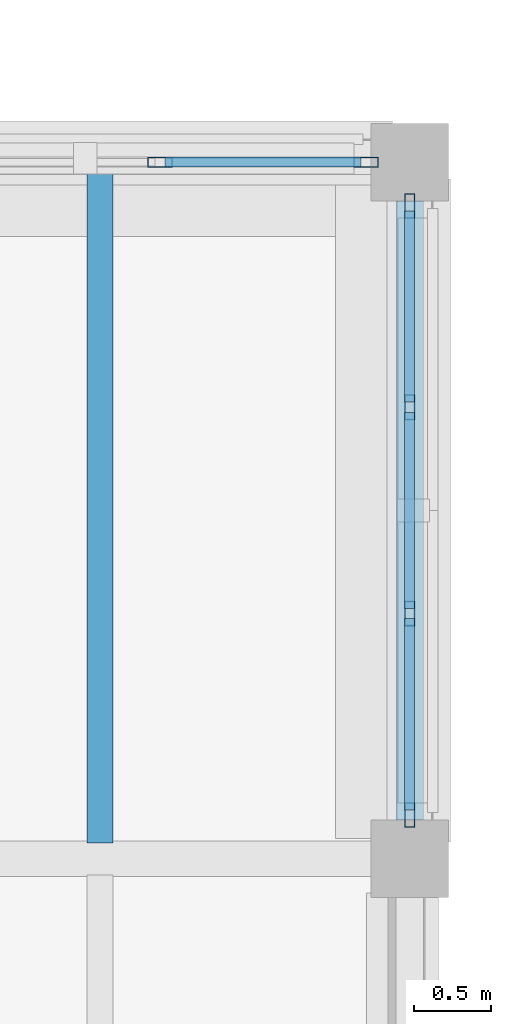
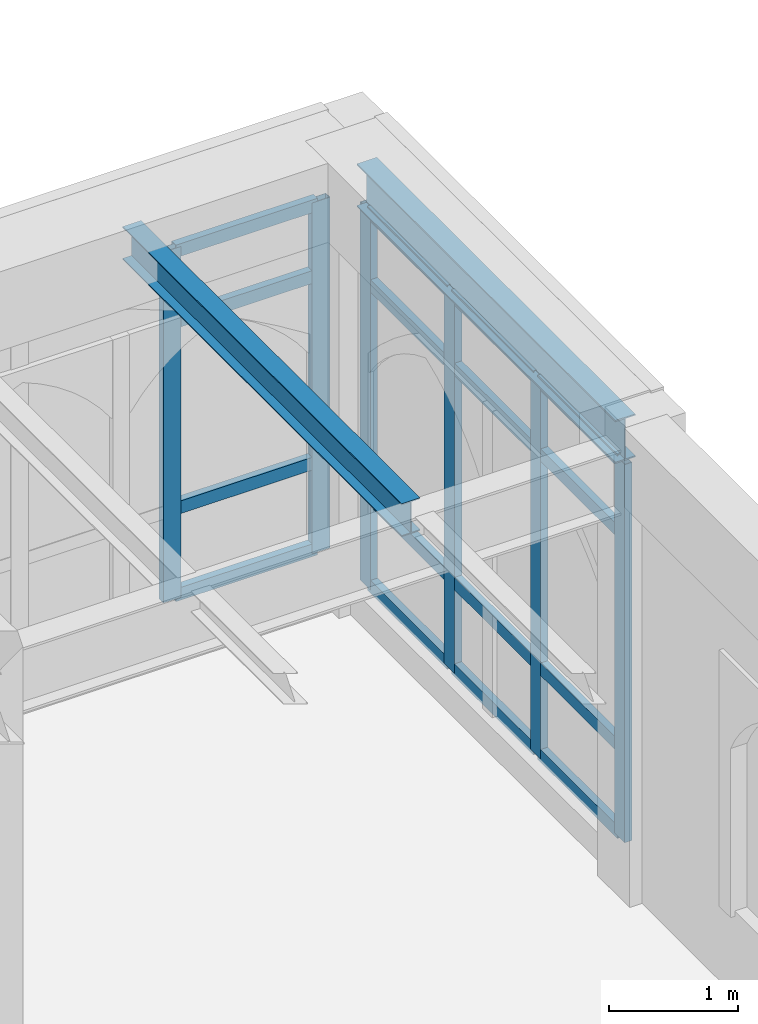
# One storey, part 57 of 143: 22 members, 2 beams, 2 elements without a shape of their own.
"""IFC4 building model written with IfcOpenShell, lengths in metres."""

import ifcopenshell
import ifcopenshell.guid

model = None  # the IFC model being written
_history = None  # IfcOwnerHistory: only IFC2X3 demands one
_inside = {}  # id of a spatial element -> (the spatial element, [elements in it])
_under = {}  # id of a project, library or spatial element -> (it, [spatial elements below it])
_declared = {}  # id of a project -> (the project, [libraries it declares])
_typed = {}  # id of a type object -> (the type object, [elements of that type])
_made_of = {}  # id of a material, layer set ... -> (it, [elements and type objects made of it])


def new_model(schema):
    """Start an empty IFC model of exactly this schema.

    Asked for "IFC4X3", IfcOpenShell would pick the latest addendum, in which some entities
    have other attributes; the version numbers below select the first issue.
    IFC2X3 requires an IfcOwnerHistory on every rooted entity: one is made here for all.
    """
    global model, _history
    if schema == "IFC4X3":
        model = ifcopenshell.file(schema_version=(4, 3, 0, 0))
    else:
        model = ifcopenshell.file(schema=schema)
    _inside.clear()
    _under.clear()
    _declared.clear()
    _typed.clear()
    _made_of.clear()
    _history = None
    if model.schema == "IFC2X3":
        org = make("IfcOrganization", Name="unknown")
        user = make(
            "IfcPersonAndOrganization",
            ThePerson=make("IfcPerson", FamilyName="unknown"),
            TheOrganization=org,
        )
        app = make(
            "IfcApplication",
            ApplicationDeveloper=org,
            Version="unknown",
            ApplicationFullName="unknown",
            ApplicationIdentifier="unknown",
        )
        _history = make(
            "IfcOwnerHistory",
            OwningUser=user,
            OwningApplication=app,
            ChangeAction="ADDED",
            CreationDate=0,
        )
    return model


def make(cls, **values):
    """One entity of the class cls with the attributes given. An attribute that is None is left unset."""
    return model.create_entity(
        cls, **{name: value for name, value in values.items() if value is not None}
    )


def rooted(cls, **values):
    """An entity with a GlobalId (a new one), such as an element, a storey or a relation."""
    return make(cls, GlobalId=ifcopenshell.guid.new(), OwnerHistory=_history, **values)


def si_unit(unit_type, name, prefix=None):
    """IfcSIUnit, for example si_unit("LENGTHUNIT", "METRE", prefix="MILLI")."""
    return make("IfcSIUnit", UnitType=unit_type, Prefix=prefix, Name=name)


def assignment(units):
    """IfcUnitAssignment: the units of a project."""
    return None if units is None else make("IfcUnitAssignment", Units=units)


def point(xyz):
    """IfcCartesianPoint."""
    return None if xyz is None else make("IfcCartesianPoint", Coordinates=xyz)


def direction(xyz):
    """IfcDirection."""
    return None if xyz is None else make("IfcDirection", DirectionRatios=xyz)


def frame(location, z_axis=None, x_axis=None):
    """IfcAxis2Placement3D, a coordinate frame: its origin and axes. An axis left out is left unset."""
    return make(
        "IfcAxis2Placement3D",
        Location=point(location),
        Axis=direction(z_axis),
        RefDirection=direction(x_axis),
    )


def frame_2d(location, x_axis=None):
    """IfcAxis2Placement2D, a coordinate frame in the plane: its origin and x axis."""
    return make(
        "IfcAxis2Placement2D", Location=point(location), RefDirection=direction(x_axis)
    )


def origin():
    """The frame at (0, 0, 0) with its axes left unset."""
    return frame((0.0, 0.0, 0.0))


def origin_2d():
    """The frame at (0, 0) in the plane with its x axis left unset."""
    return frame_2d((0.0, 0.0))


def place(relative_to, where):
    """IfcLocalPlacement: puts the frame where relative to a parent placement (None: the world)."""
    return make(
        "IfcLocalPlacement", PlacementRelTo=relative_to, RelativePlacement=where
    )


def context(
    kind, dimensions, precision=None, world=None, true_north=None, identifier=None
):
    """IfcGeometricRepresentationContext, for example the 3D "Model" context."""
    return make(
        "IfcGeometricRepresentationContext",
        ContextIdentifier=identifier,
        ContextType=kind,
        CoordinateSpaceDimension=dimensions,
        Precision=precision,
        WorldCoordinateSystem=world,
        TrueNorth=true_north,
    )


def subcontext(parent, identifier, kind, view, scale=None):
    """IfcGeometricRepresentationSubContext, for example "Body" below "Model"."""
    return make(
        "IfcGeometricRepresentationSubContext",
        ContextIdentifier=identifier,
        ContextType=kind,
        ParentContext=parent,
        TargetScale=scale,
        TargetView=view,
    )


def project(units=None, contexts=None):
    """IfcProject with its units and contexts."""
    return rooted(
        "IfcProject",
        Name="project",
        RepresentationContexts=contexts,
        UnitsInContext=assignment(units),
    )


def spatial(cls, under=None, at=None, **own):
    """A site, building, storey or space (cls), placed at a placement, below another one or the project."""
    s = rooted(cls, ObjectPlacement=at, **own)
    if under is not None:
        _under.setdefault(under.id(), (under, []))[1].append(s)
    return s


def profile(cls, at=None, kind="AREA", **sizes):
    """A parametric profile (cls). Its sizes go by their IFC names, for example OverallWidth=200.0."""
    return make(cls, ProfileType=kind, Position=at, **sizes)


def hollow_rectangle(**sizes):
    """IfcRectangleHollowProfileDef."""
    return profile("IfcRectangleHollowProfileDef", **sizes)


def i_section(**sizes):
    """IfcIShapeProfileDef."""
    return profile("IfcIShapeProfileDef", **sizes)


def extrude(swept, where, along, depth):
    """IfcExtrudedAreaSolid: the profile swept, set in the frame where, extruded along a direction by depth."""
    return make(
        "IfcExtrudedAreaSolid",
        SweptArea=swept,
        Position=where,
        ExtrudedDirection=direction(along),
        Depth=depth,
    )


def shape(context_of_items, identifier, shape_type, items):
    """IfcShapeRepresentation: the items that make up one representation, for example the "Body"."""
    return make(
        "IfcShapeRepresentation",
        ContextOfItems=context_of_items,
        RepresentationIdentifier=identifier,
        RepresentationType=shape_type,
        Items=items,
    )


def material(Name=None, Category=None):
    """IfcMaterial."""
    return make("IfcMaterial", Name=Name, Category=Category)


def layer(
    of_material, thickness, ventilated=None, Name=None, Category=None, Priority=None
):
    """IfcMaterialLayer: one layer of a wall or slab, of a material (None: an air gap)."""
    return make(
        "IfcMaterialLayer",
        Material=of_material,
        LayerThickness=thickness,
        IsVentilated=ventilated,
        Name=Name,
        Category=Category,
        Priority=Priority,
    )


def layer_set(layers, Name=None):
    """IfcMaterialLayerSet."""
    return make("IfcMaterialLayerSet", MaterialLayers=layers, LayerSetName=Name)


def material_profile(
    of_material, cross_section, Name=None, Category=None, Priority=None
):
    """IfcMaterialProfile: a cross section and its material."""
    return make(
        "IfcMaterialProfile",
        Name=Name,
        Material=of_material,
        Profile=cross_section,
        Priority=Priority,
        Category=Category,
    )


def profile_set(profiles, Name=None, composite=None):
    """IfcMaterialProfileSet."""
    return make(
        "IfcMaterialProfileSet",
        Name=Name,
        MaterialProfiles=profiles,
        CompositeProfile=composite,
    )


def made_of(thing, what):
    """Note that an element or type object is made of a material, layer set ...; save() writes the relation."""
    if what is not None:
        _made_of.setdefault(what.id(), (what, []))[1].append(thing)
    return thing


def type_object(cls, material=None, **own):
    """A type object (cls), such as IfcWallType, which elements share."""
    return made_of(rooted(cls, **own), material)


def element(
    cls,
    number,
    at=None,
    inside=None,
    cuts=None,
    type_object=None,
    material=None,
    context=None,
    identifier="Body",
    shape_type=None,
    held_by="IfcProductDefinitionShape",
    body=None,
    shapes=None,
    **own,
):
    """One element of the class cls, such as IfcWall. Its Tag is "e" and its number.

    at: its placement. inside: the storey or other place that contains it. cuts: it is an
    opening in that element (IfcRelVoidsElement). A single representation is given by context,
    identifier, shape_type and body (its items); several are given by shapes. held_by: the class
    of the entity that holds the representations. save() writes the other relations.
    """
    e = rooted(cls, Tag="e%d" % number, ObjectPlacement=at, **own)
    if body is not None:
        shapes = [shape(context, identifier, shape_type, body)]
    if shapes is not None:
        e.Representation = make(held_by, Representations=shapes)
    if inside is not None:
        _inside.setdefault(inside.id(), (inside, []))[1].append(e)
    if cuts is not None:
        rooted(
            "IfcRelVoidsElement", RelatingBuildingElement=cuts, RelatedOpeningElement=e
        )
    if type_object is not None:
        _typed.setdefault(type_object.id(), (type_object, []))[1].append(e)
    return made_of(e, material)


def aggregate(whole, parts):
    """IfcRelAggregates: a whole, such as a stair, and the parts it consists of."""
    return rooted("IfcRelAggregates", RelatingObject=whole, RelatedObjects=parts)


def save(model, path):
    """Write the relations noted so far, then the file.

    IfcRelAggregates (storeys below a building ...), IfcRelContainedInSpatialStructure (elements
    in a storey), IfcRelDefinesByType, IfcRelAssociatesMaterial and IfcRelDeclares: one each for
    every whole, place, type object, material and project.
    """
    for whole, parts in _under.values():
        aggregate(whole, parts)
    for where, things in _inside.values():
        rooted(
            "IfcRelContainedInSpatialStructure",
            RelatedElements=things,
            RelatingStructure=where,
        )
    for kind, things in _typed.values():
        rooted("IfcRelDefinesByType", RelatedObjects=things, RelatingType=kind)
    for what, things in _made_of.values():
        rooted("IfcRelAssociatesMaterial", RelatedObjects=things, RelatingMaterial=what)
    for by, libraries in _declared.values():
        rooted("IfcRelDeclares", RelatingContext=by, RelatedDefinitions=libraries)
    model.write(path)


model = new_model("IFC4")

# Units and contexts
model_context = context("Model", 3, precision=1e-05, world=origin(), true_north=direction((0.0, 1.0)))
body_context = subcontext(model_context, "Body", "Model", "MODEL_VIEW")
ifc_project = project(units=[si_unit("LENGTHUNIT", "METRE"), si_unit("AREAUNIT", "SQUARE_METRE"), si_unit("VOLUMEUNIT", "CUBIC_METRE"), si_unit("PLANEANGLEUNIT", "RADIAN"), si_unit("MASSUNIT", "GRAM", prefix="KILO")], contexts=[model_context])

# Site, building, storey
site_placement = place(None, origin())
site = spatial("IfcSite", under=ifc_project, at=site_placement, CompositionType="ELEMENT")
building_placement = place(site_placement, origin())
building = spatial("IfcBuilding", under=site, at=building_placement, Name="Cumevento Cable Car Station", CompositionType="ELEMENT")
storey_placement = place(building_placement, frame((0.0, 0.0, 9.0)))
storey = spatial("IfcBuildingStorey", under=building, at=storey_placement, Name="L03", CompositionType="ELEMENT", Elevation=9.0)

# Curtain wall, members
ifc_material_1 = material(Name="Anodised Bronze Aluminium AW-6063-T6", Category="aluminium")
ifc_layer_1 = layer(ifc_material_1, 0.201904296875)
ifc_layer_set_1 = layer_set([ifc_layer_1], Name="Anodised Bronze Aluminium AW-6063-T6")
curtain_wall_type_1 = type_object("IfcCurtainWallType", Name="Lancet Curtain Wall CW-08 1330", PredefinedType="NOTDEFINED", material=ifc_layer_set_1)
curtain_wall_1_placement = place(storey_placement, origin())
curtain_wall_1 = element("IfcCurtainWall", 1, at=curtain_wall_1_placement, inside=storey, type_object=curtain_wall_type_1, Name="Lancet Curtain Wall CW-08 L03 #119", PredefinedType="NOTDEFINED")
ifc_material_2 = material(Name="Anodised Bronze Aluminium AW-6063-T6", Category="aluminium")
ifc_material_profile_1 = material_profile(ifc_material_2, hollow_rectangle(XDim=0.06494140625, YDim=0.159912109375, WallThickness=0.00390625, at=origin_2d()), Name="ALUM65x160x4")
ifc_profile_set_1 = profile_set([ifc_material_profile_1], Name="Anodised Bronze Aluminium AW-6063-T6")
member_type_1 = type_object("IfcMemberType", Name="Curtain Mullion CWM-01 ALUM65x160x4", PredefinedType="MULLION", material=ifc_profile_set_1)
member_1_placement = place(storey_placement, frame((68.387451171875, 66.0, 0.52001953125), z_axis=(0.0, 0.0, 1.0), x_axis=(0.0, 1.0, 0.0)))
member_1 = element("IfcMember", 2, at=member_1_placement, type_object=member_type_1, Name="CW-08 mullion 4", PredefinedType="MULLION", context=body_context, shape_type="SweptSolid", body=[
    extrude(hollow_rectangle(XDim=0.06494140625, YDim=0.159912109375, WallThickness=0.00390625, at=origin_2d()), origin(), (0.0, 0.0, 1.0), 3.31298828125),
])
member_2_placement = place(storey_placement, frame((69.717529296875, 66.0, 0.52001953125), z_axis=(0.0, 0.0, 1.0), x_axis=(0.0, 1.0, 0.0)))
member_2 = element("IfcMember", 3, at=member_2_placement, type_object=member_type_1, Name="CW-08 mullion 5", PredefinedType="MULLION", context=body_context, shape_type="SweptSolid", body=[
    extrude(hollow_rectangle(XDim=0.06494140625, YDim=0.159912109375, WallThickness=0.00390625, at=origin_2d()), origin(), (0.0, 0.0, 1.0), 3.31298828125),
])

ifc_material_3 = material(Name="Anodised Bronze Aluminium AW-6063-T6", Category="aluminium")
ifc_layer_2 = layer(ifc_material_3, 0.219970703125)
ifc_layer_set_2 = layer_set([ifc_layer_2], Name="Anodised Bronze Aluminium AW-6063-T6")
curtain_wall_type_2 = type_object("IfcCurtainWallType", Name="Lancet Curtain Wall CW-11 1450", PredefinedType="NOTDEFINED", material=ifc_layer_set_2)
curtain_wall_2_placement = place(storey_placement, origin())
curtain_wall_2 = element("IfcCurtainWall", 4, at=curtain_wall_2_placement, inside=storey, type_object=curtain_wall_type_2, Name="Lancet Curtain Wall CW-11 L03 #122", PredefinedType="NOTDEFINED")
member_3_placement = place(storey_placement, frame((70.0, 65.717529296875, 0.260009765625), z_axis=(0.0, 0.0, 1.0), x_axis=(1.0, 0.0, 0.0)))
member_3 = element("IfcMember", 5, at=member_3_placement, type_object=member_type_1, Name="CW-11 mullion 1", PredefinedType="MULLION", context=body_context, shape_type="SweptSolid", body=[
    extrude(hollow_rectangle(XDim=0.06494140625, YDim=0.159912109375, WallThickness=0.00390625, at=origin_2d()), origin(), (0.0, 0.0, 1.0), 3.572998046875),
])
member_4_placement = place(storey_placement, frame((70.0, 64.416748046875, 0.260009765625), z_axis=(0.0, 0.0, 1.0), x_axis=(1.0, 0.0, 0.0)))
member_4 = element("IfcMember", 6, at=member_4_placement, type_object=member_type_1, Name="CW-11 mullion 2", PredefinedType="MULLION", context=body_context, shape_type="SweptSolid", body=[
    extrude(hollow_rectangle(XDim=0.06494140625, YDim=0.159912109375, WallThickness=0.00390625, at=origin_2d()), origin(), (0.0, 0.0, 1.0), 3.572998046875),
])
member_5_placement = place(storey_placement, frame((70.0, 63.083251953125, 0.260009765625), z_axis=(0.0, 0.0, 1.0), x_axis=(1.0, 0.0, 0.0)))
member_5 = element("IfcMember", 7, at=member_5_placement, type_object=member_type_1, Name="CW-11 mullion 3", PredefinedType="MULLION", context=body_context, shape_type="SweptSolid", body=[
    extrude(hollow_rectangle(XDim=0.06494140625, YDim=0.159912109375, WallThickness=0.00390625, at=origin_2d()), origin(), (0.0, 0.0, 1.0), 3.572998046875),
])
member_6_placement = place(storey_placement, frame((70.0, 61.782470703125, 0.260009765625), z_axis=(0.0, 0.0, 1.0), x_axis=(1.0, 0.0, 0.0)))
member_6 = element("IfcMember", 8, at=member_6_placement, type_object=member_type_1, Name="CW-11 mullion 4", PredefinedType="MULLION", context=body_context, shape_type="SweptSolid", body=[
    extrude(hollow_rectangle(XDim=0.06494140625, YDim=0.159912109375, WallThickness=0.00390625, at=origin_2d()), origin(), (0.0, 0.0, 1.0), 3.572998046875),
])

# Member
ifc_material_4 = material(Name="Anodised Bronze Aluminium AW-6063-T6", Category="aluminium")
ifc_material_profile_2 = material_profile(ifc_material_4, hollow_rectangle(XDim=0.06494140625, YDim=0.1201171875, WallThickness=0.00390625, at=origin_2d()), Name="ALUT65x120x4")
ifc_profile_set_2 = profile_set([ifc_material_profile_2], Name="Anodised Bronze Aluminium AW-6063-T6")
member_type_2 = type_object("IfcMemberType", Name="Curtain Transom CWT-01 ALUT65x120x4", PredefinedType="USERDEFINED", material=ifc_profile_set_2)
member_7_placement = place(storey_placement, frame((68.419921875, 66.0, 0.552490234375), z_axis=(1.0, 0.0, 0.0), x_axis=(0.0, 1.0, 0.0)))
member_7 = element("IfcMember", 9, at=member_7_placement, type_object=member_type_2, Name="CW-08 transom 4.1", ObjectType="TRANSOM", PredefinedType="USERDEFINED", context=body_context, shape_type="SweptSolid", body=[
    extrude(hollow_rectangle(XDim=0.06494140625, YDim=0.1201171875, WallThickness=0.00390625, at=origin_2d()), origin(), (0.0, 0.0, 1.0), 1.26513671875),
])

member_8_placement = place(storey_placement, frame((68.419921875, 66.0, 1.3701171875), z_axis=(1.0, 0.0, 0.0), x_axis=(0.0, 1.0, 0.0)))
member_8 = element("IfcMember", 10, at=member_8_placement, type_object=member_type_2, Name="CW-08 transom 4.2", ObjectType="TRANSOM", PredefinedType="USERDEFINED", context=body_context, shape_type="SweptSolid", body=[
    extrude(hollow_rectangle(XDim=0.06494140625, YDim=0.1201171875, WallThickness=0.00390625, at=origin_2d()), origin(), (0.0, 0.0, 1.0), 1.26513671875),
])

member_9_placement = place(storey_placement, frame((68.419921875, 66.0, 3.133056640625), z_axis=(1.0, 0.0, 0.0), x_axis=(0.0, 1.0, 0.0)))
member_9 = element("IfcMember", 11, at=member_9_placement, type_object=member_type_2, Name="CW-08 transom 4.3", ObjectType="TRANSOM", PredefinedType="USERDEFINED", context=body_context, shape_type="SweptSolid", body=[
    extrude(hollow_rectangle(XDim=0.06494140625, YDim=0.1201171875, WallThickness=0.00390625, at=origin_2d()), origin(), (0.0, 0.0, 1.0), 1.26513671875),
])

member_10_placement = place(storey_placement, frame((68.419921875, 66.0, 3.800537109375), z_axis=(1.0, 0.0, 0.0), x_axis=(0.0, 1.0, 0.0)))
member_10 = element("IfcMember", 12, at=member_10_placement, type_object=member_type_2, Name="CW-08 transom 4.4", ObjectType="TRANSOM", PredefinedType="USERDEFINED", context=body_context, shape_type="SweptSolid", body=[
    extrude(hollow_rectangle(XDim=0.06494140625, YDim=0.1201171875, WallThickness=0.00390625, at=origin_2d()), origin(), (0.0, 0.0, 1.0), 1.26513671875),
])

aggregate(curtain_wall_1, [member_1, member_2, member_7, member_8, member_9, member_10])

member_11_placement = place(storey_placement, frame((70.0, 65.68505859375, 0.29248046875), z_axis=(0.0, -1.0, 0.0), x_axis=(1.0, 0.0, 0.0)))
member_11 = element("IfcMember", 13, at=member_11_placement, type_object=member_type_2, Name="CW-11 transom 1.1", ObjectType="TRANSOM", PredefinedType="USERDEFINED", context=body_context, shape_type="SweptSolid", body=[
    extrude(hollow_rectangle(XDim=0.06494140625, YDim=0.1201171875, WallThickness=0.00390625, at=origin_2d()), origin(), (0.0, 0.0, 1.0), 1.23583984375),
])

member_12_placement = place(storey_placement, frame((70.0, 65.68505859375, 1.110107421875), z_axis=(0.0, -1.0, 0.0), x_axis=(1.0, 0.0, 0.0)))
member_12 = element("IfcMember", 14, at=member_12_placement, type_object=member_type_2, Name="CW-11 transom 1.2", ObjectType="TRANSOM", PredefinedType="USERDEFINED", context=body_context, shape_type="SweptSolid", body=[
    extrude(hollow_rectangle(XDim=0.06494140625, YDim=0.1201171875, WallThickness=0.00390625, at=origin_2d()), origin(), (0.0, 0.0, 1.0), 1.23583984375),
])

member_13_placement = place(storey_placement, frame((70.0, 65.68505859375, 3.133056640625), z_axis=(0.0, -1.0, 0.0), x_axis=(1.0, 0.0, 0.0)))
member_13 = element("IfcMember", 15, at=member_13_placement, type_object=member_type_2, Name="CW-11 transom 1.3", ObjectType="TRANSOM", PredefinedType="USERDEFINED", context=body_context, shape_type="SweptSolid", body=[
    extrude(hollow_rectangle(XDim=0.06494140625, YDim=0.1201171875, WallThickness=0.00390625, at=origin_2d()), origin(), (0.0, 0.0, 1.0), 1.23583984375),
])

member_14_placement = place(storey_placement, frame((70.0, 65.68505859375, 3.800537109375), z_axis=(0.0, -1.0, 0.0), x_axis=(1.0, 0.0, 0.0)))
member_14 = element("IfcMember", 16, at=member_14_placement, type_object=member_type_2, Name="CW-11 transom 1.4", ObjectType="TRANSOM", PredefinedType="USERDEFINED", context=body_context, shape_type="SweptSolid", body=[
    extrude(hollow_rectangle(XDim=0.06494140625, YDim=0.1201171875, WallThickness=0.00390625, at=origin_2d()), origin(), (0.0, 0.0, 1.0), 1.23583984375),
])

member_15_placement = place(storey_placement, frame((70.0, 64.38427734375, 0.29248046875), z_axis=(0.0, -1.0, 0.0), x_axis=(1.0, 0.0, 0.0)))
member_15 = element("IfcMember", 17, at=member_15_placement, type_object=member_type_2, Name="CW-11 transom 2.1", ObjectType="TRANSOM", PredefinedType="USERDEFINED", context=body_context, shape_type="SweptSolid", body=[
    extrude(hollow_rectangle(XDim=0.06494140625, YDim=0.1201171875, WallThickness=0.00390625, at=origin_2d()), origin(), (0.0, 0.0, 1.0), 1.2685546875),
])

member_16_placement = place(storey_placement, frame((70.0, 64.38427734375, 1.110107421875), z_axis=(0.0, -1.0, 0.0), x_axis=(1.0, 0.0, 0.0)))
member_16 = element("IfcMember", 18, at=member_16_placement, type_object=member_type_2, Name="CW-11 transom 2.2", ObjectType="TRANSOM", PredefinedType="USERDEFINED", context=body_context, shape_type="SweptSolid", body=[
    extrude(hollow_rectangle(XDim=0.06494140625, YDim=0.1201171875, WallThickness=0.00390625, at=origin_2d()), origin(), (0.0, 0.0, 1.0), 1.2685546875),
])

member_17_placement = place(storey_placement, frame((70.0, 64.38427734375, 3.133056640625), z_axis=(0.0, -1.0, 0.0), x_axis=(1.0, 0.0, 0.0)))
member_17 = element("IfcMember", 19, at=member_17_placement, type_object=member_type_2, Name="CW-11 transom 2.3", ObjectType="TRANSOM", PredefinedType="USERDEFINED", context=body_context, shape_type="SweptSolid", body=[
    extrude(hollow_rectangle(XDim=0.06494140625, YDim=0.1201171875, WallThickness=0.00390625, at=origin_2d()), origin(), (0.0, 0.0, 1.0), 1.2685546875),
])

member_18_placement = place(storey_placement, frame((70.0, 64.38427734375, 3.800537109375), z_axis=(0.0, -1.0, 0.0), x_axis=(1.0, 0.0, 0.0)))
member_18 = element("IfcMember", 20, at=member_18_placement, type_object=member_type_2, Name="CW-11 transom 2.4", ObjectType="TRANSOM", PredefinedType="USERDEFINED", context=body_context, shape_type="SweptSolid", body=[
    extrude(hollow_rectangle(XDim=0.06494140625, YDim=0.1201171875, WallThickness=0.00390625, at=origin_2d()), origin(), (0.0, 0.0, 1.0), 1.2685546875),
])

member_19_placement = place(storey_placement, frame((70.0, 63.05078125, 0.29248046875), z_axis=(0.0, -1.0, 0.0), x_axis=(1.0, 0.0, 0.0)))
member_19 = element("IfcMember", 21, at=member_19_placement, type_object=member_type_2, Name="CW-11 transom 3.1", ObjectType="TRANSOM", PredefinedType="USERDEFINED", context=body_context, shape_type="SweptSolid", body=[
    extrude(hollow_rectangle(XDim=0.06494140625, YDim=0.1201171875, WallThickness=0.00390625, at=origin_2d()), origin(), (0.0, 0.0, 1.0), 1.23583984375),
])

member_20_placement = place(storey_placement, frame((70.0, 63.05078125, 1.110107421875), z_axis=(0.0, -1.0, 0.0), x_axis=(1.0, 0.0, 0.0)))
member_20 = element("IfcMember", 22, at=member_20_placement, type_object=member_type_2, Name="CW-11 transom 3.2", ObjectType="TRANSOM", PredefinedType="USERDEFINED", context=body_context, shape_type="SweptSolid", body=[
    extrude(hollow_rectangle(XDim=0.06494140625, YDim=0.1201171875, WallThickness=0.00390625, at=origin_2d()), origin(), (0.0, 0.0, 1.0), 1.23583984375),
])

member_21_placement = place(storey_placement, frame((70.0, 63.05078125, 3.133056640625), z_axis=(0.0, -1.0, 0.0), x_axis=(1.0, 0.0, 0.0)))
member_21 = element("IfcMember", 23, at=member_21_placement, type_object=member_type_2, Name="CW-11 transom 3.3", ObjectType="TRANSOM", PredefinedType="USERDEFINED", context=body_context, shape_type="SweptSolid", body=[
    extrude(hollow_rectangle(XDim=0.06494140625, YDim=0.1201171875, WallThickness=0.00390625, at=origin_2d()), origin(), (0.0, 0.0, 1.0), 1.23583984375),
])

member_22_placement = place(storey_placement, frame((70.0, 63.05078125, 3.800537109375), z_axis=(0.0, -1.0, 0.0), x_axis=(1.0, 0.0, 0.0)))
member_22 = element("IfcMember", 24, at=member_22_placement, type_object=member_type_2, Name="CW-11 transom 3.4", ObjectType="TRANSOM", PredefinedType="USERDEFINED", context=body_context, shape_type="SweptSolid", body=[
    extrude(hollow_rectangle(XDim=0.06494140625, YDim=0.1201171875, WallThickness=0.00390625, at=origin_2d()), origin(), (0.0, 0.0, 1.0), 1.23583984375),
])

aggregate(curtain_wall_2, [member_3, member_4, member_5, member_6, member_11, member_12, member_13, member_14, member_15, member_16, member_17, member_18, member_19, member_20, member_21, member_22])

# Beams
ifc_material_5 = material(Name="Steel ASTM A572 Grade 50", Category="steel")
ifc_material_profile_3 = material_profile(ifc_material_5, i_section(OverallWidth=0.1650390625, OverallDepth=0.31005859375, WebThickness=0.005859375, FlangeThickness=0.009765625, at=origin_2d()), Name="W310x38.7")
ifc_profile_set_3 = profile_set([ifc_material_profile_3], Name="Steel ASTM A572 Grade 50")
beam_type_1 = type_object("IfcBeamType", Name="Structural Joist JS-03 W310x38.7", PredefinedType="JOIST", material=ifc_profile_set_3)
beam_1_placement = place(storey_placement, frame((68.0, 61.60302734375, 4.0849609375), z_axis=(0.0, 1.0, 0.0), x_axis=(-1.0, 0.0, 0.0)))
element("IfcBeam", 25, at=beam_1_placement, inside=storey, type_object=beam_type_1, Name="Composite Floor Joist JS-03 L03 #1295", PredefinedType="JOIST", context=body_context, shape_type="SweptSolid", body=[
    extrude(i_section(OverallWidth=0.1650390625, OverallDepth=0.31005859375, WebThickness=0.005859375, FlangeThickness=0.009765625, at=origin_2d()), origin(), (0.0, 0.0, 1.0), 4.320068359375),
])
ifc_material_6 = material(Name="Steel ASTM A572 Grade 50", Category="steel")
ifc_material_profile_4 = material_profile(ifc_material_6, i_section(OverallWidth=0.177978515625, OverallDepth=0.406982421875, WebThickness=0.0078125, FlangeThickness=0.0126953125, at=origin_2d()), Name="W410x60.0")
ifc_profile_set_4 = profile_set([ifc_material_profile_4], Name="Steel ASTM A572 Grade 50")
beam_type_2 = type_object("IfcBeamType", Name="Structural Spandrel SP-01 W410x60.0", PredefinedType="SPANDREL", material=ifc_profile_set_4)
beam_2_placement = place(storey_placement, frame((70.0, 61.75, 4.03662109375), z_axis=(0.0, 1.0, 0.0), x_axis=(-1.0, 0.0, 0.0)))
element("IfcBeam", 26, at=beam_2_placement, inside=storey, type_object=beam_type_2, Name="Beam SP-01 L03 #1121", PredefinedType="SPANDREL", context=body_context, shape_type="SweptSolid", body=[
    extrude(i_section(OverallWidth=0.177978515625, OverallDepth=0.406982421875, WebThickness=0.0078125, FlangeThickness=0.0126953125, at=origin_2d()), origin(), (0.0, 0.0, 1.0), 4.0),
])

save(model, "model.ifc")
